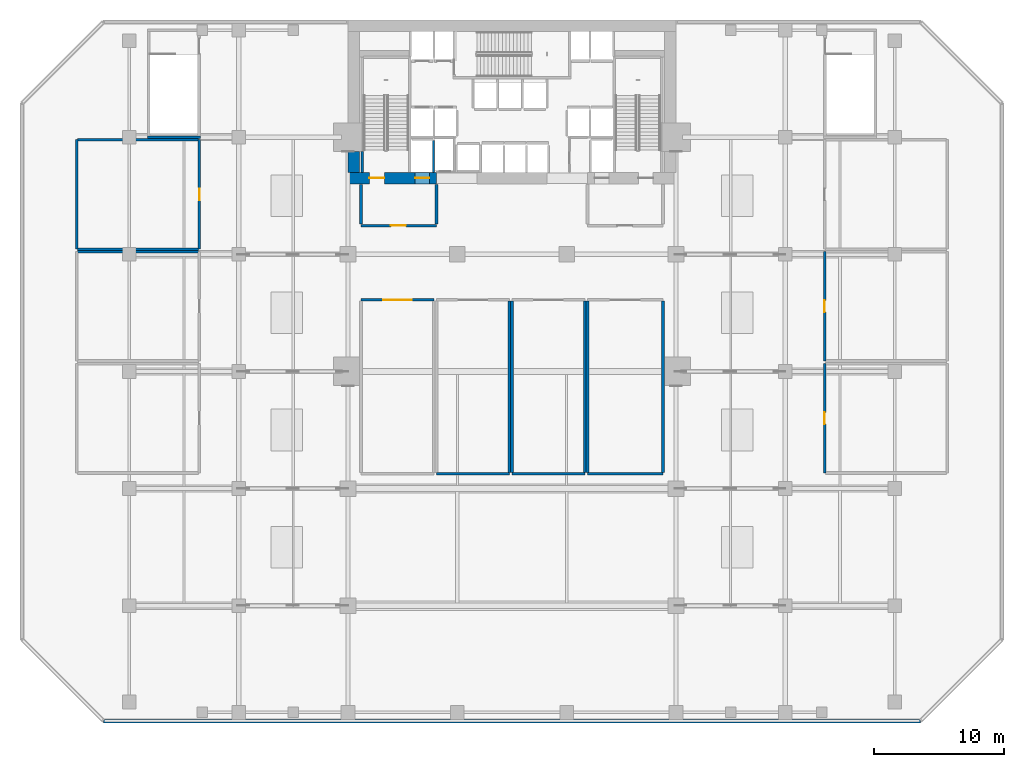
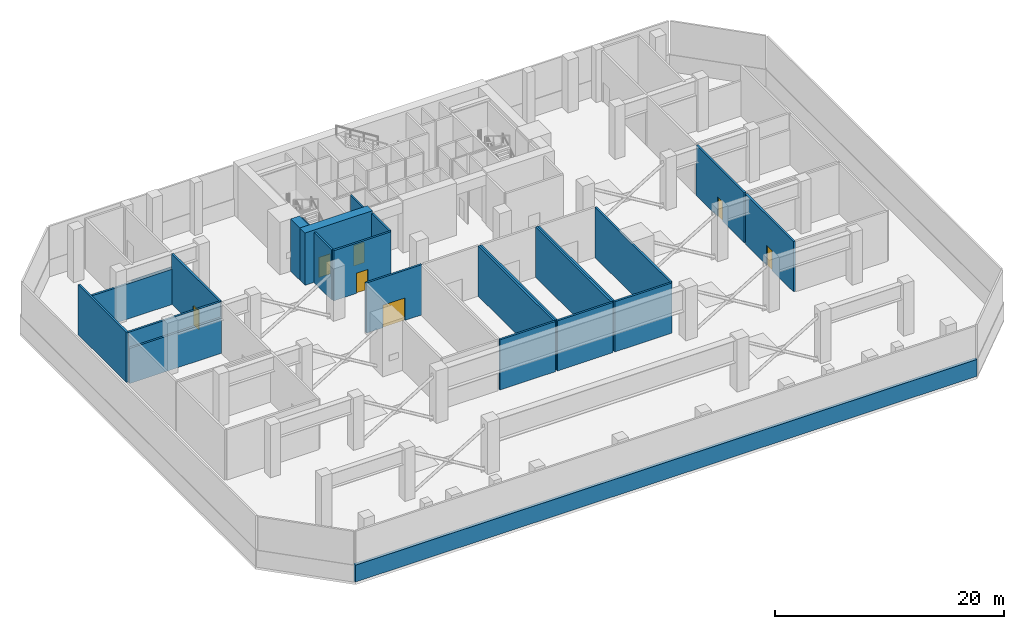
# One storey, part 8 of 15: 25 walls, 7 doors, 7 openings.
"""IFC4 building model written with IfcOpenShell, lengths in metres."""

from ifc_helpers import new_model, si_unit, direction, frame, frame_2d, origin, place, context, subcontext, project, spatial, rectangle, extrude, material, layer, layer_set, type_object, element, fill, save


model = new_model("IFC4")

# Units and contexts
model_context = context("Model", 3, precision=1e-05, world=origin(), true_north=direction((0.0, 1.0)))
body_context = subcontext(model_context, "Body", "Model", "MODEL_VIEW")
ifc_project = project(units=[si_unit("LENGTHUNIT", "METRE"), si_unit("AREAUNIT", "SQUARE_METRE"), si_unit("VOLUMEUNIT", "CUBIC_METRE"), si_unit("PLANEANGLEUNIT", "RADIAN"), si_unit("MASSUNIT", "GRAM", prefix="KILO")], contexts=[model_context])

# Site, building, storey
site_placement = place(None, origin())
site = spatial("IfcSite", under=ifc_project, at=site_placement, CompositionType="ELEMENT")
building_placement = place(site_placement, origin())
building = spatial("IfcBuilding", under=site, at=building_placement, Name="Maruvema Waterfront Hotel and Observation Tower", CompositionType="ELEMENT")
storey_placement = place(building_placement, frame((0.0, 0.0, 21.35009765625)))
storey = spatial("IfcBuildingStorey", under=building, at=storey_placement, Name="L04", CompositionType="ELEMENT", Elevation=21.35009765625)

# Walls
ifc_material_1 = material(Name="Precast concrete C45/55", Category="concrete")
ifc_layer_1 = layer(ifc_material_1, 0.199951171875, Name="Core Shaft and Stairwell Enclosure Wall 200 mm")
ifc_layer_set_1 = layer_set([ifc_layer_1], Name="Precast concrete C45/55")
wall_type_1 = type_object("IfcWallType", Name="Core Shaft and Stairwell Enclosure Wall 200 mm", PredefinedType="SOLIDWALL", material=ifc_layer_set_1)
wall_1_placement = place(storey_placement, frame((26.300048828125, 42.300048828125, 0.0), z_axis=(0.0, 0.0, 1.0), x_axis=(0.0, 1.0, 0.0)))
element("IfcWall", 1, at=wall_1_placement, inside=storey, type_object=wall_type_1, Name="L04 Stairwell ST-01 Shaft Lining Wall", PredefinedType="SOLIDWALL", context=body_context, shape_type="SweptSolid", body=[
    extrude(rectangle(XDim=1.579833984375, YDim=0.199951171875, at=frame_2d((0.7900390625, 0.0))), origin(), (0.0, 0.0, 1.0), 5.35986328125),
])
wall_2_placement = place(storey_placement, frame((9.800048828125, 45.0, 0.0), z_axis=(0.0, 0.0, 1.0), x_axis=(1.0, 0.0, 0.0)))
element("IfcWall", 2, at=wall_2_placement, inside=storey, type_object=wall_type_1, Name="L04 Stairwell ST-04 Shaft Wall", PredefinedType="SOLIDWALL", context=body_context, shape_type="SweptSolid", body=[
    extrude(rectangle(XDim=4.050048828125, YDim=0.199951171875, at=frame_2d((2.02490234375, 0.0))), origin(), (0.0, 0.0, 1.0), 3.760009765625),
])

# Wall, openings, doors
ifc_material_2 = material(Name="Concrete C80/95", Category="concrete")
ifc_layer_2 = layer(ifc_material_2, 0.89990234375, Name="Core Shear Wall 900 mm")
ifc_layer_set_2 = layer_set([ifc_layer_2], Name="Concrete C80/95")
wall_type_2 = type_object("IfcWallType", Name="Core Shear Wall 900 mm", PredefinedType="SHEAR", material=ifc_layer_set_2)
wall_3_placement = place(storey_placement, frame((25.199951171875, 41.85009765625, 0.0), z_axis=(0.0, 0.0, 1.0), x_axis=(1.0, 0.0, 0.0)))
wall_3 = element("IfcWall", 3, at=wall_3_placement, inside=storey, type_object=wall_type_2, Name="L04 South-West Core Shear Wall", PredefinedType="SHEAR", context=body_context, shape_type="SweptSolid", body=[
    extrude(rectangle(XDim=6.800048828125, YDim=0.89990234375, at=frame_2d((3.39990234375, 0.0))), origin(), (0.0, 0.0, 1.0), 5.599853515625),
])
opening_1_placement = place(wall_3_placement, frame((1.64990234375, 0.0, 0.0)))
opening_1 = element("IfcOpeningElement", 4, at=opening_1_placement, cuts=wall_3, Name="Opening SD-01", PredefinedType="OPENING", context=body_context, shape_type="SweptSolid", body=[
    extrude(rectangle(XDim=1.14990234375, YDim=2.14990234375, at=frame_2d((0.574951171875, 1.074951171875))), frame((0.0, 0.4599609375, 0.0), z_axis=(0.0, -1.0, 0.0), x_axis=(1.0, 0.0, 0.0)), (0.0, 0.0, 1.0), 0.919921875),
])
opening_2_placement = place(wall_3_placement, frame((5.14990234375, 0.0, 0.0)))
opening_2 = element("IfcOpeningElement", 5, at=opening_2_placement, cuts=wall_3, Name="Opening LD-03", PredefinedType="OPENING", context=body_context, shape_type="SweptSolid", body=[
    extrude(rectangle(XDim=1.10009765625, YDim=2.199951171875, at=frame_2d((0.550048828125, 1.10009765625))), frame((0.0, 0.4599609375, 0.0), z_axis=(0.0, -1.0, 0.0), x_axis=(1.0, 0.0, 0.0)), (0.0, 0.0, 1.0), 0.919921875),
])
ifc_material_3 = material(Name="Fire-rated galvanised steel leaf", Category="steel")
door_type_1 = type_object("IfcDoorType", Name="Exit Stair Fire Door 1150x2150 mm", OperationType="NOTDEFINED", PredefinedType="DOOR", material=ifc_material_3)
door_1_placement = place(opening_1_placement, origin())
door_1 = element("IfcDoor", 6, at=door_1_placement, inside=storey, type_object=door_type_1, Name="L04 Exit Stair ST-01 Fire Door", OperationType="SINGLE_SWING_LEFT", OverallHeight=2.14990234375, OverallWidth=1.14990234375, PredefinedType="DOOR", context=body_context, shape_type="SweptSolid", body=[
    extrude(rectangle(XDim=1.14990234375, YDim=2.14990234375, at=frame_2d((0.574951171875, 1.074951171875))), frame((0.0, 0.02490234375, 0.0), z_axis=(0.0, -1.0, 0.0), x_axis=(1.0, 0.0, 0.0)), (0.0, 0.0, 1.0), 0.050048828125),
])
fill(opening_1, door_1)
ifc_material_4 = material(Name="Brushed stainless steel Grade 316", Category="steel")
door_type_2 = type_object("IfcDoorType", Name="Firefighting Lift Sliding Landing Door 1100x2200 mm", OperationType="SLIDING_TO_LEFT", PredefinedType="DOOR", material=ifc_material_4)
door_2_placement = place(opening_2_placement, frame((1.10009765625, 0.0, 0.0), z_axis=(0.0, 0.0, 1.0), x_axis=(-1.0, 0.0, 0.0)))
door_2 = element("IfcDoor", 7, at=door_2_placement, inside=storey, type_object=door_type_2, Name="L04 Firefighting Lift FL-01 Landing Door", OperationType="SLIDING_TO_LEFT", OverallHeight=2.199951171875, OverallWidth=1.10009765625, PredefinedType="DOOR", context=body_context, shape_type="SweptSolid", body=[
    extrude(rectangle(XDim=1.10009765625, YDim=2.199951171875, at=frame_2d((0.550048828125, 1.10009765625))), frame((0.0, 0.02490234375, 0.0), z_axis=(0.0, -1.0, 0.0), x_axis=(1.0, 0.0, 0.0)), (0.0, 0.0, 1.0), 0.050048828125),
])
fill(opening_2, door_2)

# Wall
wall_4_placement = place(storey_placement, frame((25.64990234375, 42.300048828125, 0.0), z_axis=(0.0, 0.0, 1.0), x_axis=(0.0, 1.0, 0.0)))
element("IfcWall", 8, at=wall_4_placement, inside=storey, type_object=wall_type_2, Name="L04 West-South Core Shear Wall", PredefinedType="SHEAR", context=body_context, shape_type="SweptSolid", body=[
    extrude(rectangle(XDim=1.599853515625, YDim=0.89990234375, at=frame_2d((0.7998046875, 0.0))), origin(), (0.0, 0.0, 1.0), 5.599853515625),
])

# Wall, opening, door
ifc_material_5 = material(Name="Autoclaved cellular concrete blockwork", Category="masonry")
ifc_layer_3 = layer(ifc_material_5, 0.199951171875, Name="Fire Compartment Masonry Wall 200 mm")
ifc_layer_set_3 = layer_set([ifc_layer_3], Name="Autoclaved cellular concrete blockwork")
wall_type_3 = type_object("IfcWallType", Name="Fire Compartment Masonry Wall 200 mm", PredefinedType="PARTITIONING", material=ifc_layer_set_3)
wall_5_placement = place(storey_placement, frame((26.199951171875, 38.199951171875, 0.0), z_axis=(0.0, 0.0, 1.0), x_axis=(1.0, 0.0, 0.0)))
wall_5 = element("IfcWall", 9, at=wall_5_placement, inside=storey, type_object=wall_type_3, Name="L04 FFL West South Wall 001", PredefinedType="PARTITIONING", context=body_context, shape_type="SweptSolid", body=[
    extrude(rectangle(XDim=5.800048828125, YDim=0.199951171875, at=frame_2d((2.89990234375, 0.0))), origin(), (0.0, 0.0, 1.0), 5.35986328125),
])
opening_3_placement = place(wall_5_placement, frame((2.300048828125, 0.0, 0.0)))
opening_3 = element("IfcOpeningElement", 10, at=opening_3_placement, cuts=wall_5, Name="Opening FD-115", PredefinedType="OPENING", context=body_context, shape_type="SweptSolid", body=[
    extrude(rectangle(XDim=1.14990234375, YDim=2.14990234375, at=frame_2d((0.574951171875, 1.074951171875))), frame((0.0, 0.10986328125, 0.0), z_axis=(0.0, -1.0, 0.0), x_axis=(1.0, 0.0, 0.0)), (0.0, 0.0, 1.0), 0.219970703125),
])
ifc_material_6 = material(Name="Fire-rated galvanised steel and vision glass", Category="steel")
door_type_3 = type_object("IfcDoorType", Name="Firefighting Lobby Fire Door 1150x2150 mm", OperationType="NOTDEFINED", PredefinedType="DOOR", material=ifc_material_6)
door_3_placement = place(opening_3_placement, frame((1.14990234375, 0.0, 0.0), z_axis=(0.0, 0.0, 1.0), x_axis=(-1.0, 0.0, 0.0)))
door_3 = element("IfcDoor", 11, at=door_3_placement, inside=storey, type_object=door_type_3, Name="L04 Firefighting Lobby West Door", OperationType="SINGLE_SWING_RIGHT", OverallHeight=2.14990234375, OverallWidth=1.14990234375, PredefinedType="DOOR", context=body_context, shape_type="SweptSolid", body=[
    extrude(rectangle(XDim=1.14990234375, YDim=2.14990234375, at=frame_2d((0.574951171875, 1.074951171875))), frame((0.0, 0.02490234375, 0.0), z_axis=(0.0, -1.0, 0.0), x_axis=(1.0, 0.0, 0.0)), (0.0, 0.0, 1.0), 0.050048828125),
])
fill(opening_3, door_3)

# Walls
for number, where, z_axis, x_axis, name in (
    (12, (26.199951171875, 38.31005859375, 0.0), (0.0, 0.0, 1.0), (0.0, 1.0, 0.0), "L04 FFL West West Wall 002"),
    (13, (32.0, 38.31005859375, 0.0), (0.0, 0.0, 1.0), (0.0, 1.0, 0.0), "L04 FFL West East Wall 003"),
):
    element("IfcWall", number, at=place(storey_placement, frame(where, z_axis=z_axis, x_axis=x_axis)), inside=storey, type_object=wall_type_3, Name=name, PredefinedType="PARTITIONING", context=body_context, shape_type="SweptSolid", body=[
        extrude(rectangle(XDim=3.06982421875, YDim=0.199951171875, at=frame_2d((1.534912109375, 0.0))), origin(), (0.0, 0.0, 1.0), 5.35986328125),
    ])

# Wall, opening, door
wall_6_placement = place(storey_placement, frame((26.199951171875, 32.5, 0.0), z_axis=(0.0, 0.0, 1.0), x_axis=(1.0, 0.0, 0.0)))
wall_6 = element("IfcWall", 14, at=wall_6_placement, inside=storey, type_object=wall_type_3, Name="L04 L04 AHU Plant Room 1 North 012", PredefinedType="PARTITIONING", context=body_context, shape_type="SweptSolid", body=[
    extrude(rectangle(XDim=5.60009765625, YDim=0.199951171875, at=frame_2d((2.800048828125, 0.0))), origin(), (0.0, 0.0, 1.0), 5.35986328125),
])
opening_4_placement = place(wall_6_placement, frame((1.699951171875, 0.0, 0.0)))
opening_4 = element("IfcOpeningElement", 15, at=opening_4_placement, cuts=wall_6, Name="Opening DG-03", PredefinedType="OPENING", context=body_context, shape_type="SweptSolid", body=[
    extrude(rectangle(XDim=2.199951171875, YDim=2.39990234375, at=frame_2d((1.10009765625, 1.199951171875))), frame((0.0, 0.10986328125, 0.0), z_axis=(0.0, -1.0, 0.0), x_axis=(1.0, 0.0, 0.0)), (0.0, 0.0, 1.0), 0.219970703125),
])
ifc_material_7 = material(Name="Powder-coated galvanised steel", Category="steel")
door_type_4 = type_object("IfcDoorType", Name="Plant Room Double Equipment Gate 2200x2400 mm", OperationType="DOUBLE_DOOR_SINGLE_SWING", PredefinedType="GATE", material=ifc_material_7)
door_4_placement = place(opening_4_placement, origin())
door_4 = element("IfcDoor", 16, at=door_4_placement, inside=storey, type_object=door_type_4, Name="L04 AHU Plant Room 1 Gate", OperationType="DOUBLE_DOOR_SINGLE_SWING", OverallHeight=2.39990234375, OverallWidth=2.199951171875, PredefinedType="GATE", context=body_context, shape_type="SweptSolid", body=[
    extrude(rectangle(XDim=2.199951171875, YDim=2.39990234375, at=frame_2d((1.10009765625, 1.199951171875))), frame((0.0, 0.02490234375, 0.0), z_axis=(0.0, -1.0, 0.0), x_axis=(1.0, 0.0, 0.0)), (0.0, 0.0, 1.0), 0.050048828125),
])
fill(opening_4, door_4)

# Walls
wall_7_placement = place(storey_placement, frame((32.0, 19.14990234375, 0.0), z_axis=(0.0, 0.0, 1.0), x_axis=(1.0, 0.0, 0.0)))
element("IfcWall", 17, at=wall_7_placement, inside=storey, type_object=wall_type_3, Name="L04 L04 Chiller Plant Room 1 South 017", PredefinedType="PARTITIONING", context=body_context, shape_type="SweptSolid", body=[
    extrude(rectangle(XDim=5.60009765625, YDim=0.199951171875, at=frame_2d((2.800048828125, 0.0))), origin(), (0.0, 0.0, 1.0), 5.35986328125),
])
wall_8_placement = place(storey_placement, frame((37.60009765625, 19.25, 0.0), z_axis=(0.0, 0.0, 1.0), x_axis=(0.0, 1.0, 0.0)))
element("IfcWall", 18, at=wall_8_placement, inside=storey, type_object=wall_type_3, Name="L04 L04 Chiller Plant Room 1 East 019", PredefinedType="PARTITIONING", context=body_context, shape_type="SweptSolid", body=[
    extrude(rectangle(XDim=13.169921875, YDim=0.199951171875, at=frame_2d((6.5849609375, 0.0))), origin(), (0.0, 0.0, 1.0), 5.35986328125),
])
wall_9_placement = place(storey_placement, frame((37.800048828125, 19.14990234375, 0.0), z_axis=(0.0, 0.0, 1.0), x_axis=(1.0, 0.0, 0.0)))
element("IfcWall", 19, at=wall_9_placement, inside=storey, type_object=wall_type_3, Name="L04 L04 Fire Pump Plant Room South 021", PredefinedType="PARTITIONING", context=body_context, shape_type="SweptSolid", body=[
    extrude(rectangle(XDim=5.599853515625, YDim=0.199951171875, at=frame_2d((2.7998046875, 0.0))), origin(), (0.0, 0.0, 1.0), 5.35986328125),
])
for number, where, z_axis, x_axis, name in (
    (20, (37.800048828125, 19.25, 0.0), (0.0, 0.0, 1.0), (0.0, 1.0, 0.0), "L04 L04 Fire Pump Plant Room West 022"),
    (21, (43.39990234375, 19.25, 0.0), (0.0, 0.0, 1.0), (0.0, 1.0, 0.0), "L04 L04 Fire Pump Plant Room East 023"),
):
    element("IfcWall", number, at=place(storey_placement, frame(where, z_axis=z_axis, x_axis=x_axis)), inside=storey, type_object=wall_type_3, Name=name, PredefinedType="PARTITIONING", context=body_context, shape_type="SweptSolid", body=[
        extrude(rectangle(XDim=13.169921875, YDim=0.199951171875, at=frame_2d((6.5849609375, 0.0))), origin(), (0.0, 0.0, 1.0), 5.35986328125),
    ])
wall_10_placement = place(storey_placement, frame((43.60009765625, 19.14990234375, 0.0), z_axis=(0.0, 0.0, 1.0), x_axis=(1.0, 0.0, 0.0)))
element("IfcWall", 22, at=wall_10_placement, inside=storey, type_object=wall_type_3, Name="L04 L04 Electrical Switchgear Room 1 South 025", PredefinedType="PARTITIONING", context=body_context, shape_type="SweptSolid", body=[
    extrude(rectangle(XDim=5.7998046875, YDim=0.199951171875, at=frame_2d((2.89990234375, 0.0))), origin(), (0.0, 0.0, 1.0), 5.35986328125),
])
for number, where, z_axis, x_axis, name in (
    (23, (43.60009765625, 19.25, 0.0), (0.0, 0.0, 1.0), (0.0, 1.0, 0.0), "L04 L04 Electrical Switchgear Room 1 West 026"),
    (24, (49.39990234375, 19.25, 0.0), (0.0, 0.0, 1.0), (0.0, 1.0, 0.0), "L04 L04 Electrical Switchgear Room 1 East 027"),
):
    element("IfcWall", number, at=place(storey_placement, frame(where, z_axis=z_axis, x_axis=x_axis)), inside=storey, type_object=wall_type_3, Name=name, PredefinedType="PARTITIONING", context=body_context, shape_type="SweptSolid", body=[
        extrude(rectangle(XDim=13.169921875, YDim=0.199951171875, at=frame_2d((6.5849609375, 0.0))), origin(), (0.0, 0.0, 1.0), 5.35986328125),
    ])
wall_11_placement = place(storey_placement, frame((4.419921875, 36.199951171875, 0.0), z_axis=(0.0, 0.0, 1.0), x_axis=(1.0, 0.0, 0.0)))
element("IfcWall", 25, at=wall_11_placement, inside=storey, type_object=wall_type_3, Name="L04 L04 Pressurisation Plant Room W North 035", PredefinedType="PARTITIONING", context=body_context, shape_type="SweptSolid", body=[
    extrude(rectangle(XDim=9.300048828125, YDim=0.199951171875, at=frame_2d((4.64990234375, 0.0))), origin(), (0.0, 0.0, 1.0), 3.760009765625),
])

# Wall, opening, door
wall_12_placement = place(storey_placement, frame((13.780029296875, 36.39990234375, 0.0), z_axis=(0.0, 0.0, 1.0), x_axis=(0.0, 1.0, 0.0)))
wall_12 = element("IfcWall", 26, at=wall_12_placement, inside=storey, type_object=wall_type_3, Name="L04 L04 Water Tank Plant Room West East 036", PredefinedType="PARTITIONING", context=body_context, shape_type="SweptSolid", body=[
    extrude(rectangle(XDim=8.400146484375, YDim=0.199951171875, at=frame_2d((4.2001953125, 0.0))), origin(), (0.0, 0.0, 1.0), 5.35986328125),
])
opening_5_placement = place(wall_12_placement, frame((3.75, 0.0, 0.0)))
opening_5 = element("IfcOpeningElement", 27, at=opening_5_placement, cuts=wall_12, Name="Opening DR-090", PredefinedType="OPENING", context=body_context, shape_type="SweptSolid", body=[
    extrude(rectangle(XDim=0.89990234375, YDim=2.10009765625, at=frame_2d((0.449951171875, 1.050048828125))), frame((0.0, 0.10986328125, 0.0), z_axis=(0.0, -1.0, 0.0), x_axis=(1.0, 0.0, 0.0)), (0.0, 0.0, 1.0), 0.219970703125),
])
ifc_material_8 = material(Name="Solid-core lacquered timber leaf", Category="wood")
door_type_5 = type_object("IfcDoorType", Name="Accessible Toilet and Room Door 900x2100 mm", OperationType="NOTDEFINED", PredefinedType="DOOR", material=ifc_material_8)
door_5_placement = place(opening_5_placement, origin())
door_5 = element("IfcDoor", 28, at=door_5_placement, inside=storey, type_object=door_type_5, Name="L04 Water Tank Plant Room West Door", OperationType="SINGLE_SWING_RIGHT", OverallHeight=2.10009765625, OverallWidth=0.89990234375, PredefinedType="DOOR", context=body_context, shape_type="SweptSolid", body=[
    extrude(rectangle(XDim=0.89990234375, YDim=2.10009765625, at=frame_2d((0.449951171875, 1.050048828125))), frame((0.0, 0.02490234375, 0.0), z_axis=(0.0, -1.0, 0.0), x_axis=(1.0, 0.0, 0.0)), (0.0, 0.0, 1.0), 0.050048828125),
])
fill(opening_5, door_5)

# Walls
wall_13_placement = place(storey_placement, frame((4.35009765625, 36.39990234375, 0.0), z_axis=(0.0, 0.0, 1.0), x_axis=(0.0, 1.0, 0.0)))
element("IfcWall", 29, at=wall_13_placement, inside=storey, type_object=wall_type_3, Name="L04 L04 Water Tank Plant Room West West 037", PredefinedType="PARTITIONING", context=body_context, shape_type="SweptSolid", body=[
    extrude(rectangle(XDim=8.400146484375, YDim=0.199951171875, at=frame_2d((4.2001953125, 0.0))), origin(), (0.0, 0.0, 1.0), 5.35986328125),
])
wall_14_placement = place(storey_placement, frame((4.419921875, 36.39990234375, 0.0), z_axis=(0.0, 0.0, 1.0), x_axis=(1.0, 0.0, 0.0)))
element("IfcWall", 30, at=wall_14_placement, inside=storey, type_object=wall_type_3, Name="L04 L04 Water Tank Plant Room West South 038", PredefinedType="PARTITIONING", context=body_context, shape_type="SweptSolid", body=[
    extrude(rectangle(XDim=9.300048828125, YDim=0.199951171875, at=frame_2d((4.64990234375, 0.0))), origin(), (0.0, 0.0, 1.0), 5.35986328125),
])
wall_15_placement = place(storey_placement, frame((4.419921875, 44.800048828125, 0.0), z_axis=(0.0, 0.0, 1.0), x_axis=(1.0, 0.0, 0.0)))
element("IfcWall", 31, at=wall_15_placement, inside=storey, type_object=wall_type_3, Name="L04 L04 Water Tank Plant Room West North 039", PredefinedType="PARTITIONING", context=body_context, shape_type="SweptSolid", body=[
    extrude(rectangle(XDim=9.300048828125, YDim=0.199951171875, at=frame_2d((4.64990234375, 0.0))), origin(), (0.0, 0.0, 1.0), 3.760009765625),
])

# Wall, opening, door
wall_16_placement = place(storey_placement, frame((61.820068359375, 19.199951171875, 0.0), z_axis=(0.0, 0.0, 1.0), x_axis=(0.0, 1.0, 0.0)))
wall_16 = element("IfcWall", 32, at=wall_16_placement, inside=storey, type_object=wall_type_3, Name="L04 L04 AHU Plant Room East 1 West 040", PredefinedType="PARTITIONING", context=body_context, shape_type="SweptSolid", body=[
    extrude(rectangle(XDim=8.400146484375, YDim=0.199951171875, at=frame_2d((4.2001953125, 0.0))), origin(), (0.0, 0.0, 1.0), 5.35986328125),
])
opening_6_placement = place(wall_16_placement, frame((3.75, 0.0, 0.0)))
opening_6 = element("IfcOpeningElement", 33, at=opening_6_placement, cuts=wall_16, Name="Opening DR-090", PredefinedType="OPENING", context=body_context, shape_type="SweptSolid", body=[
    extrude(rectangle(XDim=0.89990234375, YDim=2.10009765625, at=frame_2d((0.449951171875, 1.050048828125))), frame((0.0, 0.10986328125, 0.0), z_axis=(0.0, -1.0, 0.0), x_axis=(1.0, 0.0, 0.0)), (0.0, 0.0, 1.0), 0.219970703125),
])
door_6_placement = place(opening_6_placement, frame((0.89990234375, 0.0, 0.0), z_axis=(0.0, 0.0, 1.0), x_axis=(-1.0, 0.0, 0.0)))
door_6 = element("IfcDoor", 34, at=door_6_placement, inside=storey, type_object=door_type_5, Name="L04 AHU Plant Room East 1 Door", OperationType="SINGLE_SWING_LEFT", OverallHeight=2.10009765625, OverallWidth=0.89990234375, PredefinedType="DOOR", context=body_context, shape_type="SweptSolid", body=[
    extrude(rectangle(XDim=0.89990234375, YDim=2.10009765625, at=frame_2d((0.449951171875, 1.050048828125))), frame((0.0, 0.02490234375, 0.0), z_axis=(0.0, -1.0, 0.0), x_axis=(1.0, 0.0, 0.0)), (0.0, 0.0, 1.0), 0.050048828125),
])
fill(opening_6, door_6)

wall_17_placement = place(storey_placement, frame((61.820068359375, 27.800048828125, 0.0), z_axis=(0.0, 0.0, 1.0), x_axis=(0.0, 1.0, 0.0)))
wall_17 = element("IfcWall", 35, at=wall_17_placement, inside=storey, type_object=wall_type_3, Name="L04 L04 Transformer Plant Room East West 044", PredefinedType="PARTITIONING", context=body_context, shape_type="SweptSolid", body=[
    extrude(rectangle(XDim=8.39990234375, YDim=0.199951171875, at=frame_2d((4.199951171875, 0.0))), origin(), (0.0, 0.0, 1.0), 5.35986328125),
])
opening_7_placement = place(wall_17_placement, frame((3.75, 0.0, 0.0)))
opening_7 = element("IfcOpeningElement", 36, at=opening_7_placement, cuts=wall_17, Name="Opening DR-090", PredefinedType="OPENING", context=body_context, shape_type="SweptSolid", body=[
    extrude(rectangle(XDim=0.89990234375, YDim=2.10009765625, at=frame_2d((0.449951171875, 1.050048828125))), frame((0.0, 0.10986328125, 0.0), z_axis=(0.0, -1.0, 0.0), x_axis=(1.0, 0.0, 0.0)), (0.0, 0.0, 1.0), 0.219970703125),
])
door_7_placement = place(opening_7_placement, frame((0.89990234375, 0.0, 0.0), z_axis=(0.0, 0.0, 1.0), x_axis=(-1.0, 0.0, 0.0)))
door_7 = element("IfcDoor", 37, at=door_7_placement, inside=storey, type_object=door_type_5, Name="L04 Transformer Plant Room East Door", OperationType="SINGLE_SWING_RIGHT", OverallHeight=2.10009765625, OverallWidth=0.89990234375, PredefinedType="DOOR", context=body_context, shape_type="SweptSolid", body=[
    extrude(rectangle(XDim=0.89990234375, YDim=2.10009765625, at=frame_2d((0.449951171875, 1.050048828125))), frame((0.0, 0.02490234375, 0.0), z_axis=(0.0, -1.0, 0.0), x_axis=(1.0, 0.0, 0.0)), (0.0, 0.0, 1.0), 0.050048828125),
])
fill(opening_7, door_7)

# Walls
ifc_material_9 = material(Name="Precast concrete C45/55", Category="concrete")
ifc_layer_4 = layer(ifc_material_9, 0.159912109375, Name="Lift Hoistway Divider Wall 160 mm")
ifc_layer_set_4 = layer_set([ifc_layer_4], Name="Precast concrete C45/55")
wall_type_4 = type_object("IfcWallType", Name="Lift Hoistway Divider Wall 160 mm", PredefinedType="SOLIDWALL", material=ifc_layer_set_4)
wall_18_placement = place(storey_placement, frame((31.780029296875, 42.300048828125, 0.0), z_axis=(0.0, 0.0, 1.0), x_axis=(0.0, 1.0, 0.0)))
element("IfcWall", 38, at=wall_18_placement, inside=storey, type_object=wall_type_4, Name="L04 Lift FL-01 Inner Hoistway Wall", PredefinedType="SOLIDWALL", context=body_context, shape_type="SweptSolid", body=[
    extrude(rectangle(XDim=2.43994140625, YDim=0.159912109375, at=frame_2d((1.219970703125, 0.0))), origin(), (0.0, 0.0, 1.0), 5.35986328125),
])
ifc_material_10 = material(Name="Precast concrete C45/55 with honed Pernambuco granite facing", Category="masonry")
ifc_layer_5 = layer(ifc_material_10, 0.300048828125, Name="Podium Waterfront Granite Colonnade Wall 300 mm")
ifc_layer_set_5 = layer_set([ifc_layer_5], Name="Precast concrete C45/55 with honed Pernambuco granite facing")
wall_type_5 = type_object("IfcWallType", Name="Podium Waterfront Granite Colonnade Wall 300 mm", PredefinedType="SOLIDWALL", material=ifc_layer_set_5)
wall_19_placement = place(storey_placement, frame((6.39990234375, 0.14990234375, 0.0), z_axis=(0.0, 0.0, 1.0), x_axis=(1.0, 0.0, 0.0)))
element("IfcWall", 39, at=wall_19_placement, inside=storey, type_object=wall_type_5, Name="L04 Plant Perimeter Spandrel S", PredefinedType="SOLIDWALL", context=body_context, shape_type="SweptSolid", body=[
    extrude(rectangle(XDim=62.800048828125, YDim=0.300048828125, at=frame_2d((31.39990234375, 0.0))), origin(), (0.0, 0.0, 1.0), 1.7998046875),
])

save(model, "model.ifc")
